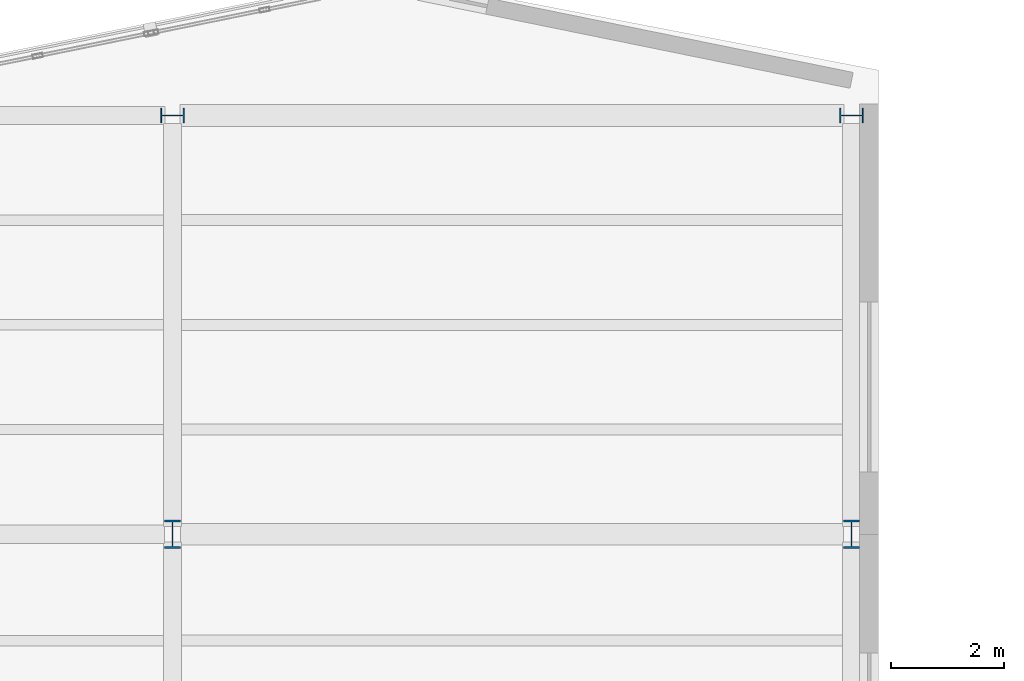
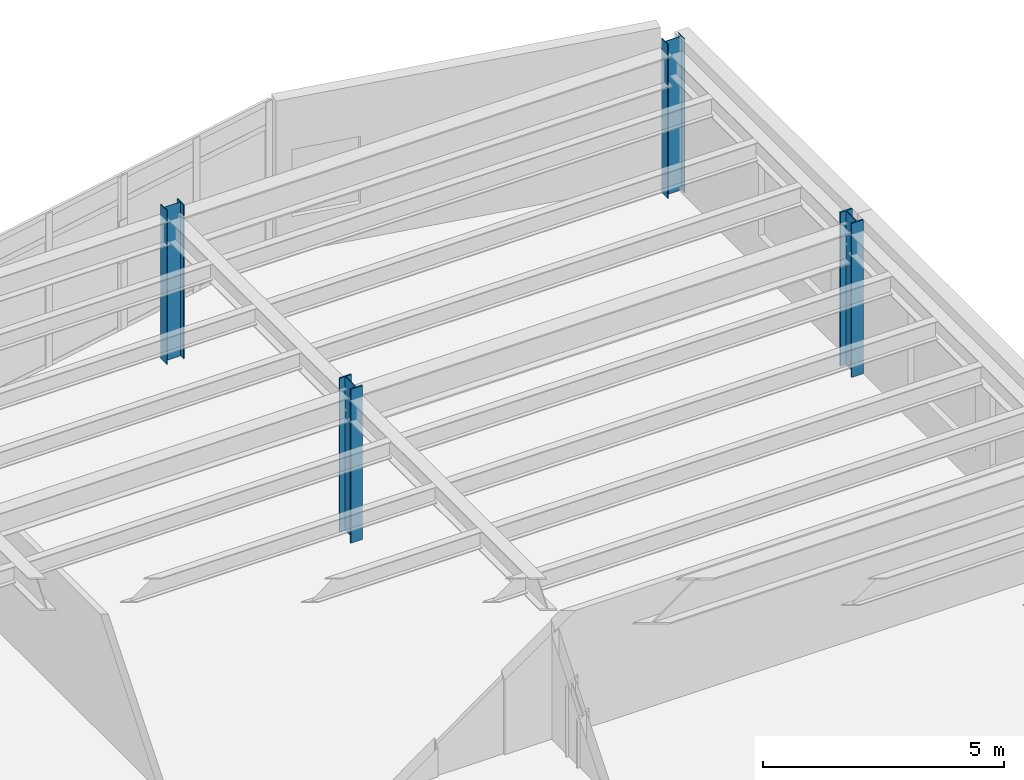
# One storey, part 10 of 59: 4 columns.
"""IFC4 building model written with IfcOpenShell, lengths in metres."""

from ifc_helpers import new_model, si_unit, direction, frame, origin, origin_2d, place, context, subcontext, project, spatial, i_section, extrude, material, material_profile, profile_set, type_object, element, save


model = new_model("IFC4")

# Units and contexts
model_context = context("Model", 3, precision=1e-05, world=origin(), true_north=direction((0.0, 1.0)))
body_context = subcontext(model_context, "Body", "Model", "MODEL_VIEW")
ifc_project = project(units=[si_unit("LENGTHUNIT", "METRE"), si_unit("AREAUNIT", "SQUARE_METRE"), si_unit("VOLUMEUNIT", "CUBIC_METRE"), si_unit("PLANEANGLEUNIT", "RADIAN"), si_unit("MASSUNIT", "GRAM", prefix="KILO")], contexts=[model_context])

# Site, building, storey
site_placement = place(None, origin())
site = spatial("IfcSite", under=ifc_project, at=site_placement, CompositionType="ELEMENT")
building_placement = place(site_placement, origin())
building = spatial("IfcBuilding", under=site, at=building_placement, Name="Sollismere Congress Hotel", CompositionType="ELEMENT")
storey_placement = place(building_placement, frame((0.0, 0.0, 15.60009765625)))
storey = spatial("IfcBuildingStorey", under=building, at=storey_placement, Name="L03", CompositionType="ELEMENT", Elevation=15.60009765625)

# Columns
ifc_material = material(Name="Steel ASTM A992 Grade 50", Category="steel")
ifc_material_profile_1 = material_profile(ifc_material, i_section(OverallWidth=0.261962890625, OverallDepth=0.4189453125, WebThickness=0.01171875, FlangeThickness=0.019287109375, at=origin_2d()), Name="W16X77")
ifc_profile_set_1 = profile_set([ifc_material_profile_1], Name="Steel ASTM A992 Grade 50")
column_type_1 = type_object("IfcColumnType", Name="COL-W16", PredefinedType="COLUMN", material=ifc_profile_set_1)
for number, where, z_axis, x_axis, name in (
    (1, (112.0, 102.39990234375, 0.0), (0.0, 0.0, 1.0), (0.0, 1.0, 0.0), "Column CL-L03-1121"),
    (2, (124.0, 102.39990234375, 0.0), (0.0, 0.0, 1.0), (0.0, 1.0, 0.0), "Column CL-L03-1127"),
):
    element("IfcColumn", number, at=place(storey_placement, frame(where, z_axis=z_axis, x_axis=x_axis)), inside=storey, type_object=column_type_1, Name=name, PredefinedType="COLUMN", context=body_context, shape_type="SweptSolid", body=[
        extrude(i_section(OverallWidth=0.261962890625, OverallDepth=0.4189453125, WebThickness=0.01171875, FlangeThickness=0.019287109375, at=origin_2d()), origin(), (0.0, 0.0, 1.0), 3.89990234375),
    ])
ifc_material_profile_2 = material_profile(ifc_material, i_section(OverallWidth=0.283935546875, OverallDepth=0.4951171875, WebThickness=0.0185546875, FlangeThickness=0.033447265625, at=origin_2d()), Name="W18X143")
ifc_profile_set_2 = profile_set([ifc_material_profile_2], Name="Steel ASTM A992 Grade 50")
column_type_2 = type_object("IfcColumnType", Name="COL-W18", PredefinedType="COLUMN", material=ifc_profile_set_2)
for number, where, z_axis, x_axis, name in (
    (3, (112.0, 95.0, 0.0), (0.0, 0.0, 1.0), (1.0, 0.0, 0.0), "Column CL-L03-641"),
    (4, (124.0, 95.0, 0.0), (0.0, 0.0, 1.0), (1.0, 0.0, 0.0), "Column CL-L03-723"),
):
    element("IfcColumn", number, at=place(storey_placement, frame(where, z_axis=z_axis, x_axis=x_axis)), inside=storey, type_object=column_type_2, Name=name, PredefinedType="COLUMN", context=body_context, shape_type="SweptSolid", body=[
        extrude(i_section(OverallWidth=0.283935546875, OverallDepth=0.4951171875, WebThickness=0.0185546875, FlangeThickness=0.033447265625, at=origin_2d()), origin(), (0.0, 0.0, 1.0), 3.89990234375),
    ])

save(model, "model.ifc")
